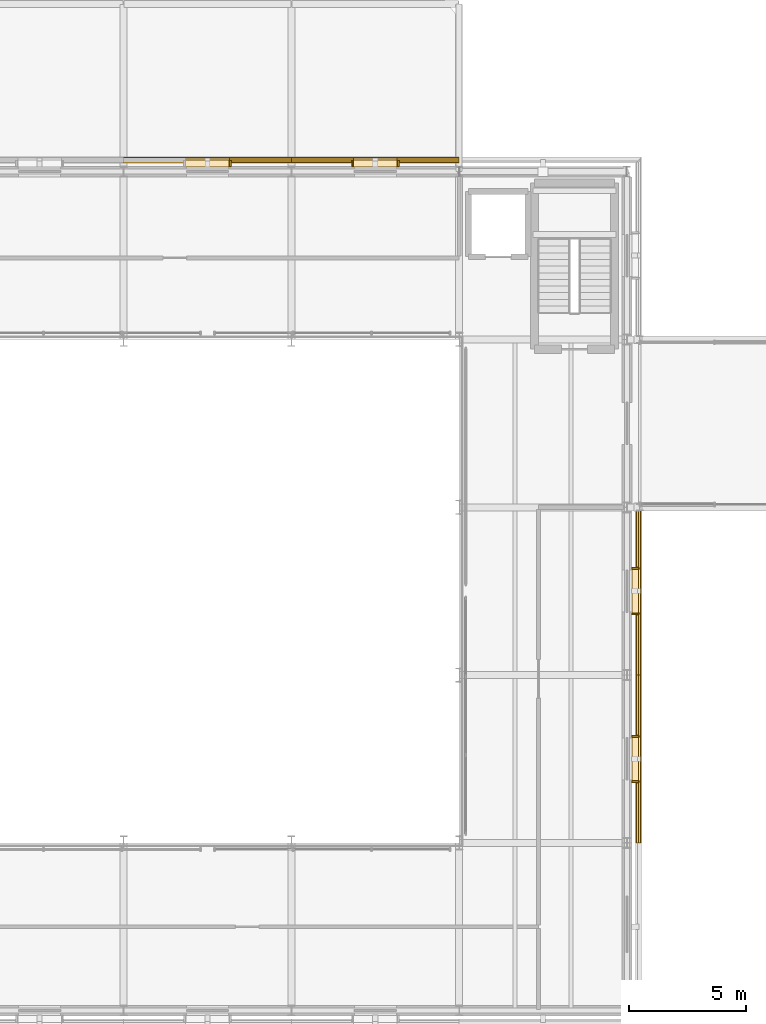
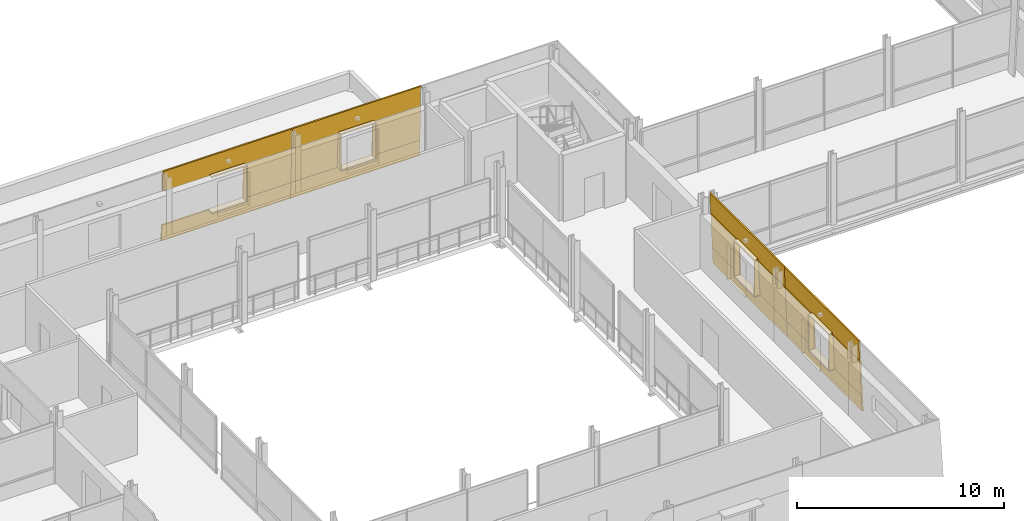
# One storey, part 106 of 115: 30 coverings.
"""IFC4 building model written with IfcOpenShell, lengths in metres."""

from ifc_helpers import new_model, si_unit, direction, frame, origin, place, context, subcontext, project, spatial, polyline, outline, extrude, material, layer, layer_set, type_object, element, save


model = new_model("IFC4")

# Units and contexts
model_context = context("Model", 3, precision=1e-05, world=origin(), true_north=direction((0.0, 1.0)))
body_context = subcontext(model_context, "Body", "Model", "MODEL_VIEW")
ifc_project = project(units=[si_unit("LENGTHUNIT", "METRE"), si_unit("AREAUNIT", "SQUARE_METRE"), si_unit("VOLUMEUNIT", "CUBIC_METRE"), si_unit("PLANEANGLEUNIT", "RADIAN"), si_unit("MASSUNIT", "GRAM", prefix="KILO")], contexts=[model_context])

# Site, building, storey
site_placement = place(None, origin())
site = spatial("IfcSite", under=ifc_project, at=site_placement, CompositionType="ELEMENT")
building_placement = place(site_placement, origin())
building = spatial("IfcBuilding", under=site, at=building_placement, Name="Narikvali Park Central Library", CompositionType="ELEMENT")
storey_placement = place(building_placement, frame((0.0, 0.0, 10.199951171875)))
storey = spatial("IfcBuildingStorey", under=building, at=storey_placement, Name="L02", CompositionType="ELEMENT", Elevation=10.199951171875)

# Coverings
ifc_material = material(Name="White Honed Limestone Cladding", Category="masonry")
ifc_layer_1 = layer(ifc_material, 0.0849609375, Name="White Honed Limestone Cladding")
ifc_layer_set_1 = layer_set([ifc_layer_1], Name="White Honed Limestone Cladding")
covering_type_1 = type_object("IfcCoveringType", Name="Battered White Limestone Facade Cladding Panel", PredefinedType="CLADDING", material=ifc_layer_set_1)
covering_1_placement = place(storey_placement, frame((101.422607421875, 64.800048828125, 0.0), z_axis=(0.999166130077, 0.0, 0.040829456356), x_axis=(0.0, 1.0, 0.0)))
element("IfcCovering", 1, at=covering_1_placement, inside=storey, type_object=covering_type_1, Name="V1 L02 E Battered Limestone Spandrel B02", PredefinedType="CLADDING", context=body_context, shape_type="SweptSolid", body=[
    extrude(outline(polyline([(0.0, 0.0), (7.199951171875, 0.0), (7.199951171875, 0.9507439686746652), (0.0, 0.9507439686746652), (0.0, 0.0)])), origin(), (0.0, 0.0, -1.0), 0.0849609375),
])
covering_2_placement = place(storey_placement, frame((101.2998046875, 64.800048828125, 3.0), z_axis=(0.999164837953, 0.0, 0.040861064584), x_axis=(0.0, 1.0, 0.0)))
element("IfcCovering", 2, at=covering_2_placement, inside=storey, type_object=covering_type_1, Name="V1 L02 E Battered Limestone Lintel B02", PredefinedType="CLADDING", context=body_context, shape_type="SweptSolid", body=[
    extrude(outline(polyline([(0.0, 0.0), (7.199951171875, 0.0), (7.199951171875, 1.2009541632126333), (0.0, 1.2009541632126333), (0.0, 0.0)])), origin(), (0.0, 0.0, -1.0), 0.0849609375),
])
for number, where, z_axis, x_axis, name in (
    (3, (101.3837890625, 64.800048828125, 0.949951171875), (0.999161906742, 0.0, 0.040932677852), (0.0, 1.0, 0.0), "V1 L02 E Battered Limestone Jamb Pier L B02"),
    (4, (101.3837890625, 69.340087890625, 0.949951171875), (0.999161906742, 0.0, 0.040932677852), (0.0, 1.0, 0.0), "V1 L02 E Battered Limestone Jamb Pier R B02"),
):
    element("IfcCovering", number, at=place(storey_placement, frame(where, z_axis=z_axis, x_axis=x_axis)), inside=storey, type_object=covering_type_1, Name=name, PredefinedType="CLADDING", context=body_context, shape_type="SweptSolid", body=[
        extrude(outline(polyline([(0.0, 0.0), (2.659912109375, 0.0), (2.659912109375, 2.051768401389598), (0.0, 2.051768401389598), (0.0, 0.0)])), origin(), (0.0, 0.0, -1.0), 0.0849609375),
    ])
covering_3_placement = place(storey_placement, frame((101.422607421875, 72.0, 0.0), z_axis=(0.999166130077, 0.0, 0.040829456356), x_axis=(0.0, 1.0, 0.0)))
element("IfcCovering", 5, at=covering_3_placement, inside=storey, type_object=covering_type_1, Name="V1 L02 E Battered Limestone Spandrel B03", PredefinedType="CLADDING", context=body_context, shape_type="SweptSolid", body=[
    extrude(outline(polyline([(0.0, 0.0), (7.199951171875, 0.0), (7.199951171875, 0.9507439686746652), (0.0, 0.9507439686746652), (0.0, 0.0)])), origin(), (0.0, 0.0, -1.0), 0.0849609375),
])
covering_4_placement = place(storey_placement, frame((101.2998046875, 72.0, 3.0), z_axis=(0.999164837953, 0.0, 0.040861064584), x_axis=(0.0, 1.0, 0.0)))
element("IfcCovering", 6, at=covering_4_placement, inside=storey, type_object=covering_type_1, Name="V1 L02 E Battered Limestone Lintel B03", PredefinedType="CLADDING", context=body_context, shape_type="SweptSolid", body=[
    extrude(outline(polyline([(0.0, 0.0), (7.199951171875, 0.0), (7.199951171875, 1.2009541632126333), (0.0, 1.2009541632126333), (0.0, 0.0)])), origin(), (0.0, 0.0, -1.0), 0.0849609375),
])
for number, where, z_axis, x_axis, name in (
    (7, (101.3837890625, 72.0, 0.949951171875), (0.999161906742, 0.0, 0.040932677852), (0.0, 1.0, 0.0), "V1 L02 E Battered Limestone Jamb Pier L B03"),
    (8, (101.3837890625, 76.5400390625, 0.949951171875), (0.999161906742, 0.0, 0.040932677852), (0.0, 1.0, 0.0), "V1 L02 E Battered Limestone Jamb Pier R B03"),
):
    element("IfcCovering", number, at=place(storey_placement, frame(where, z_axis=z_axis, x_axis=x_axis)), inside=storey, type_object=covering_type_1, Name=name, PredefinedType="CLADDING", context=body_context, shape_type="SweptSolid", body=[
        extrude(outline(polyline([(0.0, 0.0), (2.659912109375, 0.0), (2.659912109375, 2.051768401389598), (0.0, 2.051768401389598), (0.0, 0.0)])), origin(), (0.0, 0.0, -1.0), 0.0849609375),
    ])
covering_5_placement = place(storey_placement, frame((93.60009765625, 94.22265625, 0.0), z_axis=(0.0, 0.999155621486, 0.041085813271), x_axis=(-1.0, 0.0, 0.0)))
element("IfcCovering", 9, at=covering_5_placement, inside=storey, type_object=covering_type_1, Name="V1 L02 N Battered Limestone Spandrel B02", PredefinedType="CLADDING", context=body_context, shape_type="SweptSolid", body=[
    extrude(outline(polyline([(0.0, 0.0), (7.2001953125, 0.0), (7.2001953125, 0.9507539680973914), (0.0, 0.9507539680973914), (0.0, 0.0)])), origin(), (0.0, 0.0, -1.0), 0.0849609375),
])
covering_6_placement = place(storey_placement, frame((93.60009765625, 94.099853515625, 3.0), z_axis=(0.0, 0.999164837953, 0.040861064584), x_axis=(-1.0, 0.0, 0.0)))
element("IfcCovering", 10, at=covering_6_placement, inside=storey, type_object=covering_type_1, Name="V1 L02 N Battered Limestone Lintel B02", PredefinedType="CLADDING", context=body_context, shape_type="SweptSolid", body=[
    extrude(outline(polyline([(0.0, 0.0), (7.2001953125, 0.0), (7.2001953125, 1.2009541632126333), (0.0, 1.2009541632126333), (0.0, 0.0)])), origin(), (0.0, 0.0, -1.0), 0.0849609375),
])
for number, where, z_axis, x_axis, name in (
    (11, (93.60009765625, 94.18359375, 0.949951171875), (0.0, 0.999166766215, 0.040813886008), (-1.0, 0.0, 0.0), "V1 L02 N Battered Limestone Jamb Pier L B02"),
    (12, (89.06005859375, 94.18359375, 0.949951171875), (0.0, 0.999166766215, 0.040813886008), (-1.0, 0.0, 0.0), "V1 L02 N Battered Limestone Jamb Pier R B02"),
):
    element("IfcCovering", number, at=place(storey_placement, frame(where, z_axis=z_axis, x_axis=x_axis)), inside=storey, type_object=covering_type_1, Name=name, PredefinedType="CLADDING", context=body_context, shape_type="SweptSolid", body=[
        extrude(outline(polyline([(0.0, 0.0), (2.66015625, 0.0), (2.66015625, 2.0517584225609666), (0.0, 2.0517584225609666), (0.0, 0.0)])), origin(), (0.0, 0.0, -1.0), 0.0849609375),
    ])
covering_7_placement = place(storey_placement, frame((86.39990234375, 94.22265625, 0.0), z_axis=(0.0, 0.999155621486, 0.041085813271), x_axis=(-1.0, 0.0, 0.0)))
element("IfcCovering", 13, at=covering_7_placement, inside=storey, type_object=covering_type_1, Name="V1 L02 N Battered Limestone Spandrel B03", PredefinedType="CLADDING", context=body_context, shape_type="SweptSolid", body=[
    extrude(outline(polyline([(0.0, 0.0), (7.199951171875, 0.0), (7.199951171875, 0.9507539680973915), (0.0, 0.9507539680973915), (0.0, 0.0)])), origin(), (0.0, 0.0, -1.0), 0.0849609375),
])
covering_8_placement = place(storey_placement, frame((86.39990234375, 94.099853515625, 3.0), z_axis=(0.0, 0.999164837953, 0.040861064584), x_axis=(-1.0, 0.0, 0.0)))
element("IfcCovering", 14, at=covering_8_placement, inside=storey, type_object=covering_type_1, Name="V1 L02 N Battered Limestone Lintel B03", PredefinedType="CLADDING", context=body_context, shape_type="SweptSolid", body=[
    extrude(outline(polyline([(0.0, 0.0), (7.199951171875, 0.0), (7.199951171875, 1.2009541632126333), (0.0, 1.2009541632126333), (0.0, 0.0)])), origin(), (0.0, 0.0, -1.0), 0.0849609375),
])
covering_9_placement = place(storey_placement, frame((86.39990234375, 94.18359375, 0.949951171875), z_axis=(0.0, 0.999166766215, 0.040813886008), x_axis=(-1.0, 0.0, 0.0)))
element("IfcCovering", 15, at=covering_9_placement, inside=storey, type_object=covering_type_1, Name="V1 L02 N Battered Limestone Jamb Pier L B03", PredefinedType="CLADDING", context=body_context, shape_type="SweptSolid", body=[
    extrude(outline(polyline([(0.0, 0.0), (2.659912109375, 0.0), (2.659912109375, 2.051758422560966), (0.0, 2.051758422560966), (0.0, 0.0)])), origin(), (0.0, 0.0, -1.0), 0.0849609375),
])
ifc_layer_2 = layer(ifc_material, 0.080078125, Name="White Honed Limestone Cladding")
ifc_layer_set_2 = layer_set([ifc_layer_2], Name="White Honed Limestone Cladding")
covering_type_2 = type_object("IfcCoveringType", Name="Deep Carved White Limestone Window Reveal", PredefinedType="CLADDING", material=ifc_layer_set_2)
covering_10_placement = place(storey_placement, frame((0.0, 0.0, 3.0)))
element("IfcCovering", 16, at=covering_10_placement, inside=storey, type_object=covering_type_2, Name="Deep Stone Reveal Head V1-RVL-L02-E-B02", PredefinedType="CLADDING", context=body_context, shape_type="SweptSolid", body=[
    extrude(outline(polyline([(101.0048828125, 67.419921875), (101.0048828125, 69.3798828125), (101.2998046875, 69.3798828125), (101.2998046875, 67.419921875), (101.0048828125, 67.419921875)])), origin(), (0.0, 0.0, 1.0), 0.080078125),
])
covering_11_placement = place(storey_placement, frame((0.0, 0.0, 0.8701171875)))
element("IfcCovering", 17, at=covering_11_placement, inside=storey, type_object=covering_type_2, Name="Deep Stone Reveal Sill V1-RVL-L02-E-B02", PredefinedType="CLADDING", context=body_context, shape_type="SweptSolid", body=[
    extrude(outline(polyline([(101.0048828125, 67.419921875), (101.0048828125, 69.3798828125), (101.3837890625, 69.3798828125), (101.3837890625, 67.419921875), (101.0048828125, 67.419921875)])), origin(), (0.0, 0.0, 1.0), 0.079833984375),
])
covering_12_placement = place(storey_placement, frame((0.0, 0.0, 0.949951171875)))
element("IfcCovering", 18, at=covering_12_placement, inside=storey, type_object=covering_type_2, Name="Deep Stone Reveal Jamb L V1-RVL-L02-E-B02", PredefinedType="CLADDING", context=body_context, shape_type="SweptSolid", body=[
    extrude(outline(polyline([(101.0048828125, 67.3798828125), (101.0048828125, 67.4599609375), (101.2998046875, 67.4599609375), (101.2998046875, 67.3798828125), (101.0048828125, 67.3798828125)])), origin(), (0.0, 0.0, 1.0), 2.050048828125),
])
covering_13_placement = place(storey_placement, frame((0.0, 0.0, 0.949951171875)))
element("IfcCovering", 19, at=covering_13_placement, inside=storey, type_object=covering_type_2, Name="Deep Stone Reveal Jamb R V1-RVL-L02-E-B02", PredefinedType="CLADDING", context=body_context, shape_type="SweptSolid", body=[
    extrude(outline(polyline([(101.0048828125, 69.340087890625), (101.0048828125, 69.419921875), (101.2998046875, 69.419921875), (101.2998046875, 69.340087890625), (101.0048828125, 69.340087890625)])), origin(), (0.0, 0.0, 1.0), 2.050048828125),
])
covering_14_placement = place(storey_placement, frame((0.0, 0.0, 3.0)))
element("IfcCovering", 20, at=covering_14_placement, inside=storey, type_object=covering_type_2, Name="Deep Stone Reveal Head V1-RVL-L02-E-B03", PredefinedType="CLADDING", context=body_context, shape_type="SweptSolid", body=[
    extrude(outline(polyline([(101.0048828125, 74.6201171875), (101.0048828125, 76.580078125), (101.2998046875, 76.580078125), (101.2998046875, 74.6201171875), (101.0048828125, 74.6201171875)])), origin(), (0.0, 0.0, 1.0), 0.080078125),
])
covering_15_placement = place(storey_placement, frame((0.0, 0.0, 0.8701171875)))
element("IfcCovering", 21, at=covering_15_placement, inside=storey, type_object=covering_type_2, Name="Deep Stone Reveal Sill V1-RVL-L02-E-B03", PredefinedType="CLADDING", context=body_context, shape_type="SweptSolid", body=[
    extrude(outline(polyline([(101.0048828125, 74.6201171875), (101.0048828125, 76.580078125), (101.3837890625, 76.580078125), (101.3837890625, 74.6201171875), (101.0048828125, 74.6201171875)])), origin(), (0.0, 0.0, 1.0), 0.079833984375),
])
covering_16_placement = place(storey_placement, frame((0.0, 0.0, 0.949951171875)))
element("IfcCovering", 22, at=covering_16_placement, inside=storey, type_object=covering_type_2, Name="Deep Stone Reveal Jamb L V1-RVL-L02-E-B03", PredefinedType="CLADDING", context=body_context, shape_type="SweptSolid", body=[
    extrude(outline(polyline([(101.0048828125, 74.580078125), (101.0048828125, 74.659912109375), (101.2998046875, 74.659912109375), (101.2998046875, 74.580078125), (101.0048828125, 74.580078125)])), origin(), (0.0, 0.0, 1.0), 2.050048828125),
])
covering_17_placement = place(storey_placement, frame((0.0, 0.0, 0.949951171875)))
element("IfcCovering", 23, at=covering_17_placement, inside=storey, type_object=covering_type_2, Name="Deep Stone Reveal Jamb R V1-RVL-L02-E-B03", PredefinedType="CLADDING", context=body_context, shape_type="SweptSolid", body=[
    extrude(outline(polyline([(101.0048828125, 76.5400390625), (101.0048828125, 76.6201171875), (101.2998046875, 76.6201171875), (101.2998046875, 76.5400390625), (101.0048828125, 76.5400390625)])), origin(), (0.0, 0.0, 1.0), 2.050048828125),
])
covering_18_placement = place(storey_placement, frame((0.0, 0.0, 3.0)))
element("IfcCovering", 24, at=covering_18_placement, inside=storey, type_object=covering_type_2, Name="Deep Stone Reveal Head V1-RVL-L02-N-B02", PredefinedType="CLADDING", context=body_context, shape_type="SweptSolid", body=[
    extrude(outline(polyline([(90.97998046875, 93.804931640625), (89.02001953125, 93.804931640625), (89.02001953125, 94.099853515625), (90.97998046875, 94.099853515625), (90.97998046875, 93.804931640625)])), origin(), (0.0, 0.0, 1.0), 0.080078125),
])
covering_19_placement = place(storey_placement, frame((0.0, 0.0, 0.8701171875)))
element("IfcCovering", 25, at=covering_19_placement, inside=storey, type_object=covering_type_2, Name="Deep Stone Reveal Sill V1-RVL-L02-N-B02", PredefinedType="CLADDING", context=body_context, shape_type="SweptSolid", body=[
    extrude(outline(polyline([(90.97998046875, 93.804931640625), (89.02001953125, 93.804931640625), (89.02001953125, 94.18359375), (90.97998046875, 94.18359375), (90.97998046875, 93.804931640625)])), origin(), (0.0, 0.0, 1.0), 0.079833984375),
])
covering_20_placement = place(storey_placement, frame((0.0, 0.0, 0.949951171875)))
element("IfcCovering", 26, at=covering_20_placement, inside=storey, type_object=covering_type_2, Name="Deep Stone Reveal Jamb L V1-RVL-L02-N-B02", PredefinedType="CLADDING", context=body_context, shape_type="SweptSolid", body=[
    extrude(outline(polyline([(91.02001953125, 93.804931640625), (90.93994140625, 93.804931640625), (90.93994140625, 94.099853515625), (91.02001953125, 94.099853515625), (91.02001953125, 93.804931640625)])), origin(), (0.0, 0.0, 1.0), 2.050048828125),
])
covering_21_placement = place(storey_placement, frame((0.0, 0.0, 0.949951171875)))
element("IfcCovering", 27, at=covering_21_placement, inside=storey, type_object=covering_type_2, Name="Deep Stone Reveal Jamb R V1-RVL-L02-N-B02", PredefinedType="CLADDING", context=body_context, shape_type="SweptSolid", body=[
    extrude(outline(polyline([(89.06005859375, 93.804931640625), (88.97998046875, 93.804931640625), (88.97998046875, 94.099853515625), (89.06005859375, 94.099853515625), (89.06005859375, 93.804931640625)])), origin(), (0.0, 0.0, 1.0), 2.050048828125),
])
covering_22_placement = place(storey_placement, frame((0.0, 0.0, 3.0)))
element("IfcCovering", 28, at=covering_22_placement, inside=storey, type_object=covering_type_2, Name="Deep Stone Reveal Head V1-RVL-L02-N-B03", PredefinedType="CLADDING", context=body_context, shape_type="SweptSolid", body=[
    extrude(outline(polyline([(83.780029296875, 93.804931640625), (81.820068359375, 93.804931640625), (81.820068359375, 94.099853515625), (83.780029296875, 94.099853515625), (83.780029296875, 93.804931640625)])), origin(), (0.0, 0.0, 1.0), 0.080078125),
])
covering_23_placement = place(storey_placement, frame((0.0, 0.0, 0.8701171875)))
element("IfcCovering", 29, at=covering_23_placement, inside=storey, type_object=covering_type_2, Name="Deep Stone Reveal Sill V1-RVL-L02-N-B03", PredefinedType="CLADDING", context=body_context, shape_type="SweptSolid", body=[
    extrude(outline(polyline([(83.780029296875, 93.804931640625), (81.820068359375, 93.804931640625), (81.820068359375, 94.18359375), (83.780029296875, 94.18359375), (83.780029296875, 93.804931640625)])), origin(), (0.0, 0.0, 1.0), 0.079833984375),
])
covering_24_placement = place(storey_placement, frame((0.0, 0.0, 0.949951171875)))
element("IfcCovering", 30, at=covering_24_placement, inside=storey, type_object=covering_type_2, Name="Deep Stone Reveal Jamb L V1-RVL-L02-N-B03", PredefinedType="CLADDING", context=body_context, shape_type="SweptSolid", body=[
    extrude(outline(polyline([(83.820068359375, 93.804931640625), (83.739990234375, 93.804931640625), (83.739990234375, 94.099853515625), (83.820068359375, 94.099853515625), (83.820068359375, 93.804931640625)])), origin(), (0.0, 0.0, 1.0), 2.050048828125),
])

save(model, "model.ifc")
